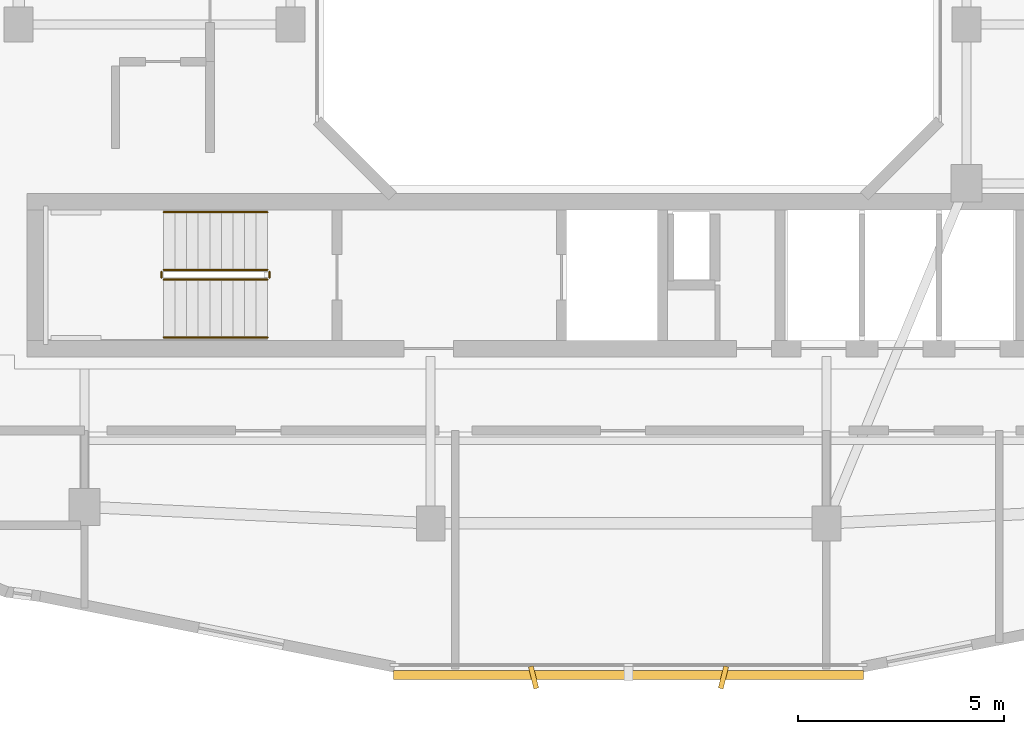
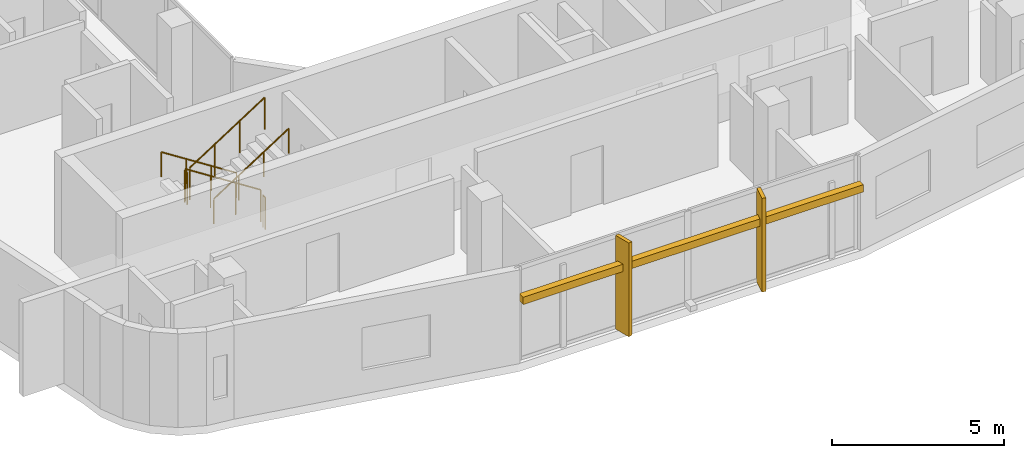
# One storey, part 11 of 14: 6 railings, 3 shading devices.
"""IFC4 building model written with IfcOpenShell, lengths in metres."""

import ifcopenshell
import ifcopenshell.guid

model = None  # the IFC model being written
_history = None  # IfcOwnerHistory: only IFC2X3 demands one
_inside = {}  # id of a spatial element -> (the spatial element, [elements in it])
_under = {}  # id of a project, library or spatial element -> (it, [spatial elements below it])
_declared = {}  # id of a project -> (the project, [libraries it declares])
_typed = {}  # id of a type object -> (the type object, [elements of that type])
_made_of = {}  # id of a material, layer set ... -> (it, [elements and type objects made of it])


def new_model(schema):
    """Start an empty IFC model of exactly this schema.

    Asked for "IFC4X3", IfcOpenShell would pick the latest addendum, in which some entities
    have other attributes; the version numbers below select the first issue.
    IFC2X3 requires an IfcOwnerHistory on every rooted entity: one is made here for all.
    """
    global model, _history
    if schema == "IFC4X3":
        model = ifcopenshell.file(schema_version=(4, 3, 0, 0))
    else:
        model = ifcopenshell.file(schema=schema)
    _inside.clear()
    _under.clear()
    _declared.clear()
    _typed.clear()
    _made_of.clear()
    _history = None
    if model.schema == "IFC2X3":
        org = make("IfcOrganization", Name="unknown")
        user = make(
            "IfcPersonAndOrganization",
            ThePerson=make("IfcPerson", FamilyName="unknown"),
            TheOrganization=org,
        )
        app = make(
            "IfcApplication",
            ApplicationDeveloper=org,
            Version="unknown",
            ApplicationFullName="unknown",
            ApplicationIdentifier="unknown",
        )
        _history = make(
            "IfcOwnerHistory",
            OwningUser=user,
            OwningApplication=app,
            ChangeAction="ADDED",
            CreationDate=0,
        )
    return model


def make(cls, **values):
    """One entity of the class cls with the attributes given. An attribute that is None is left unset."""
    return model.create_entity(
        cls, **{name: value for name, value in values.items() if value is not None}
    )


def rooted(cls, **values):
    """An entity with a GlobalId (a new one), such as an element, a storey or a relation."""
    return make(cls, GlobalId=ifcopenshell.guid.new(), OwnerHistory=_history, **values)


def si_unit(unit_type, name, prefix=None):
    """IfcSIUnit, for example si_unit("LENGTHUNIT", "METRE", prefix="MILLI")."""
    return make("IfcSIUnit", UnitType=unit_type, Prefix=prefix, Name=name)


def derived_unit(unit_type, elements):
    """IfcDerivedUnit: a product of units, each with its exponent."""
    return make(
        "IfcDerivedUnit",
        Elements=[
            make("IfcDerivedUnitElement", Unit=unit, Exponent=power)
            for unit, power in elements
        ],
        UnitType=unit_type,
    )


def assignment(units):
    """IfcUnitAssignment: the units of a project."""
    return None if units is None else make("IfcUnitAssignment", Units=units)


def point(xyz):
    """IfcCartesianPoint."""
    return None if xyz is None else make("IfcCartesianPoint", Coordinates=xyz)


def direction(xyz):
    """IfcDirection."""
    return None if xyz is None else make("IfcDirection", DirectionRatios=xyz)


def frame(location, z_axis=None, x_axis=None):
    """IfcAxis2Placement3D, a coordinate frame: its origin and axes. An axis left out is left unset."""
    return make(
        "IfcAxis2Placement3D",
        Location=point(location),
        Axis=direction(z_axis),
        RefDirection=direction(x_axis),
    )


def frame_2d(location, x_axis=None):
    """IfcAxis2Placement2D, a coordinate frame in the plane: its origin and x axis."""
    return make(
        "IfcAxis2Placement2D", Location=point(location), RefDirection=direction(x_axis)
    )


def origin():
    """The frame at (0, 0, 0) with its axes left unset."""
    return frame((0.0, 0.0, 0.0))


def origin_2d():
    """The frame at (0, 0) in the plane with its x axis left unset."""
    return frame_2d((0.0, 0.0))


def place(relative_to, where):
    """IfcLocalPlacement: puts the frame where relative to a parent placement (None: the world)."""
    return make(
        "IfcLocalPlacement", PlacementRelTo=relative_to, RelativePlacement=where
    )


def context(
    kind, dimensions, precision=None, world=None, true_north=None, identifier=None
):
    """IfcGeometricRepresentationContext, for example the 3D "Model" context."""
    return make(
        "IfcGeometricRepresentationContext",
        ContextIdentifier=identifier,
        ContextType=kind,
        CoordinateSpaceDimension=dimensions,
        Precision=precision,
        WorldCoordinateSystem=world,
        TrueNorth=true_north,
    )


def subcontext(parent, identifier, kind, view, scale=None):
    """IfcGeometricRepresentationSubContext, for example "Body" below "Model"."""
    return make(
        "IfcGeometricRepresentationSubContext",
        ContextIdentifier=identifier,
        ContextType=kind,
        ParentContext=parent,
        TargetScale=scale,
        TargetView=view,
    )


def project(units=None, contexts=None):
    """IfcProject with its units and contexts."""
    return rooted(
        "IfcProject",
        Name="project",
        RepresentationContexts=contexts,
        UnitsInContext=assignment(units),
    )


def spatial(cls, under=None, at=None, **own):
    """A site, building, storey or space (cls), placed at a placement, below another one or the project."""
    s = rooted(cls, ObjectPlacement=at, **own)
    if under is not None:
        _under.setdefault(under.id(), (under, []))[1].append(s)
    return s


def profile(cls, at=None, kind="AREA", **sizes):
    """A parametric profile (cls). Its sizes go by their IFC names, for example OverallWidth=200.0."""
    return make(cls, ProfileType=kind, Position=at, **sizes)


def rectangle(**sizes):
    """IfcRectangleProfileDef."""
    return profile("IfcRectangleProfileDef", **sizes)


def circle(**sizes):
    """IfcCircleProfileDef."""
    return profile("IfcCircleProfileDef", **sizes)


def extrude(swept, where, along, depth):
    """IfcExtrudedAreaSolid: the profile swept, set in the frame where, extruded along a direction by depth."""
    return make(
        "IfcExtrudedAreaSolid",
        SweptArea=swept,
        Position=where,
        ExtrudedDirection=direction(along),
        Depth=depth,
    )


def shape(context_of_items, identifier, shape_type, items):
    """IfcShapeRepresentation: the items that make up one representation, for example the "Body"."""
    return make(
        "IfcShapeRepresentation",
        ContextOfItems=context_of_items,
        RepresentationIdentifier=identifier,
        RepresentationType=shape_type,
        Items=items,
    )


def material(Name=None, Category=None):
    """IfcMaterial."""
    return make("IfcMaterial", Name=Name, Category=Category)


def made_of(thing, what):
    """Note that an element or type object is made of a material, layer set ...; save() writes the relation."""
    if what is not None:
        _made_of.setdefault(what.id(), (what, []))[1].append(thing)
    return thing


def type_object(cls, material=None, **own):
    """A type object (cls), such as IfcWallType, which elements share."""
    return made_of(rooted(cls, **own), material)


def element(
    cls,
    number,
    at=None,
    inside=None,
    cuts=None,
    type_object=None,
    material=None,
    context=None,
    identifier="Body",
    shape_type=None,
    held_by="IfcProductDefinitionShape",
    body=None,
    shapes=None,
    **own,
):
    """One element of the class cls, such as IfcWall. Its Tag is "e" and its number.

    at: its placement. inside: the storey or other place that contains it. cuts: it is an
    opening in that element (IfcRelVoidsElement). A single representation is given by context,
    identifier, shape_type and body (its items); several are given by shapes. held_by: the class
    of the entity that holds the representations. save() writes the other relations.
    """
    e = rooted(cls, Tag="e%d" % number, ObjectPlacement=at, **own)
    if body is not None:
        shapes = [shape(context, identifier, shape_type, body)]
    if shapes is not None:
        e.Representation = make(held_by, Representations=shapes)
    if inside is not None:
        _inside.setdefault(inside.id(), (inside, []))[1].append(e)
    if cuts is not None:
        rooted(
            "IfcRelVoidsElement", RelatingBuildingElement=cuts, RelatedOpeningElement=e
        )
    if type_object is not None:
        _typed.setdefault(type_object.id(), (type_object, []))[1].append(e)
    return made_of(e, material)


def aggregate(whole, parts):
    """IfcRelAggregates: a whole, such as a stair, and the parts it consists of."""
    return rooted("IfcRelAggregates", RelatingObject=whole, RelatedObjects=parts)


def save(model, path):
    """Write the relations noted so far, then the file.

    IfcRelAggregates (storeys below a building ...), IfcRelContainedInSpatialStructure (elements
    in a storey), IfcRelDefinesByType, IfcRelAssociatesMaterial and IfcRelDeclares: one each for
    every whole, place, type object, material and project.
    """
    for whole, parts in _under.values():
        aggregate(whole, parts)
    for where, things in _inside.values():
        rooted(
            "IfcRelContainedInSpatialStructure",
            RelatedElements=things,
            RelatingStructure=where,
        )
    for kind, things in _typed.values():
        rooted("IfcRelDefinesByType", RelatedObjects=things, RelatingType=kind)
    for what, things in _made_of.values():
        rooted("IfcRelAssociatesMaterial", RelatedObjects=things, RelatingMaterial=what)
    for by, libraries in _declared.values():
        rooted("IfcRelDeclares", RelatingContext=by, RelatedDefinitions=libraries)
    model.write(path)


model = new_model("IFC4")

# Units and contexts
model_context = context("Model", 3, precision=1e-05, world=origin(), true_north=direction((0.0, 1.0)))
body_context = subcontext(model_context, "Body", "Model", "MODEL_VIEW")
ifc_project = project(units=[si_unit("LENGTHUNIT", "METRE"), si_unit("AREAUNIT", "SQUARE_METRE"), si_unit("VOLUMEUNIT", "CUBIC_METRE"), si_unit("PLANEANGLEUNIT", "RADIAN"), si_unit("MASSUNIT", "GRAM", prefix="KILO"), derived_unit("THERMALTRANSMITTANCEUNIT", [(si_unit("POWERUNIT", "WATT"), 1), (si_unit("LENGTHUNIT", "METRE"), -2), (si_unit("THERMODYNAMICTEMPERATUREUNIT", "KELVIN"), -1)])], contexts=[model_context])

# Site, building, storey
site_placement = place(None, origin())
site = spatial("IfcSite", under=ifc_project, at=site_placement, CompositionType="ELEMENT")
building_placement = place(site_placement, origin())
building = spatial("IfcBuilding", under=site, at=building_placement, Name="Kivonza Crest Hotel", CompositionType="ELEMENT")
storey_placement = place(building_placement, frame((0.0, 0.0, 209.89990234375)))
storey = spatial("IfcBuildingStorey", under=building, at=storey_placement, Name="L57", CompositionType="ELEMENT", Elevation=209.89990234375)

# Railings
ifc_material_1 = material(Name="Brushed stainless steel handrail", Category="steel")
railing_type_1 = type_object("IfcRailingType", Name="RL-HAND-900", PredefinedType="HANDRAIL", material=ifc_material_1)
railing_1_placement = place(storey_placement, frame((12.239990234375, 16.949951171875, 0.18017578125)))
element("IfcRailing", 1, at=railing_1_placement, inside=storey, type_object=railing_type_1, Name="L57 ST-T1-S stair handrail 1", PredefinedType="HANDRAIL", context=body_context, shape_type="SweptSolid", body=[
    extrude(circle(Radius=0.02392578125, at=origin_2d()), frame((0.0, 0.0, 0.8759765625), z_axis=(-0.841199657755, 0.0, 0.540724639528), x_axis=(0.0, -1.0, 0.0)), (0.0, 0.0, 1.0), 2.995849609375),
    extrude(circle(Radius=0.02099609375, at=origin_2d()), origin(), (0.0, 0.0, 1.0), 0.851806640625),
    extrude(circle(Radius=0.02099609375, at=origin_2d()), frame((-0.840087890625, 0.0, 0.5400390625)), (0.0, 0.0, 1.0), 0.851806640625),
    extrude(circle(Radius=0.02099609375, at=origin_2d()), frame((-1.679931640625, 0.0, 1.079833984375)), (0.0, 0.0, 1.0), 0.851806640625),
    extrude(circle(Radius=0.02099609375, at=origin_2d()), frame((-2.52001953125, 0.0, 1.619873046875)), (0.0, 0.0, 1.0), 0.851806640625),
])
railing_2_placement = place(storey_placement, frame((9.719970703125, 13.909912109375, 1.97998046875)))
element("IfcRailing", 2, at=railing_2_placement, inside=storey, type_object=railing_type_1, Name="L57 ST-T1-S stair handrail 2", PredefinedType="HANDRAIL", context=body_context, shape_type="SweptSolid", body=[
    extrude(circle(Radius=0.02392578125, at=origin_2d()), frame((0.0, 0.0, 0.8759765625), z_axis=(0.841162588446, 0.0, 0.540782303519), x_axis=(0.0, 1.0, 0.0)), (0.0, 0.0, 1.0), 2.995849609375),
    extrude(circle(Radius=0.02099609375, at=origin_2d()), origin(), (0.0, 0.0, 1.0), 0.851806640625),
    extrude(circle(Radius=0.02099609375, at=origin_2d()), frame((0.840087890625, 0.0, 0.5400390625)), (0.0, 0.0, 1.0), 0.851806640625),
    extrude(circle(Radius=0.02099609375, at=origin_2d()), frame((1.679931640625, 0.0, 1.080078125)), (0.0, 0.0, 1.0), 0.851806640625),
    extrude(circle(Radius=0.02099609375, at=origin_2d()), frame((2.52001953125, 0.0, 1.6201171875)), (0.0, 0.0, 1.0), 0.851806640625),
])
ifc_material_2 = material(Name="Painted steel balustrade", Category="steel")
railing_type_2 = type_object("IfcRailingType", Name="RL-STAIR-1150", PredefinedType="BALUSTRADE", material=ifc_material_2)
railing_3_placement = place(storey_placement, frame((12.239990234375, 15.550048828125, 0.18017578125)))
element("IfcRailing", 3, at=railing_3_placement, inside=storey, type_object=railing_type_2, Name="L57 ST-T1-S stair guard 1", PredefinedType="BALUSTRADE", context=body_context, shape_type="SweptSolid", body=[
    extrude(circle(Radius=0.02392578125, at=origin_2d()), frame((0.0, 0.0, 1.1259765625), z_axis=(-0.841199657755, 0.0, 0.540724639528), x_axis=(0.0, -1.0, 0.0)), (0.0, 0.0, 1.0), 2.995849609375),
    extrude(circle(Radius=0.02099609375, at=origin_2d()), origin(), (0.0, 0.0, 1.0), 1.101806640625),
    extrude(circle(Radius=0.02099609375, at=origin_2d()), frame((-0.840087890625, 0.0, 0.5400390625)), (0.0, 0.0, 1.0), 1.101806640625),
    extrude(circle(Radius=0.02099609375, at=origin_2d()), frame((-1.679931640625, 0.0, 1.079833984375)), (0.0, 0.0, 1.0), 1.101806640625),
    extrude(circle(Radius=0.02099609375, at=origin_2d()), frame((-2.52001953125, 0.0, 1.619873046875)), (0.0, 0.0, 1.0), 1.101806640625),
])
railing_4_placement = place(storey_placement, frame((9.669921875, 15.5, 1.800048828125)))
element("IfcRailing", 4, at=railing_4_placement, inside=storey, type_object=railing_type_2, Name="L57 ST-T1-S stair guard 2", PredefinedType="BALUSTRADE", context=body_context, shape_type="SweptSolid", body=[
    extrude(circle(Radius=0.02392578125, at=origin_2d()), frame((0.0, 0.0, 1.1259765625), z_axis=(0.0, -1.0, 0.0), x_axis=(1.0, 0.0, 0.0)), (0.0, 0.0, 1.0), 0.139892578125),
    extrude(circle(Radius=0.02099609375, at=origin_2d()), origin(), (0.0, 0.0, 1.0), 1.101806640625),
    extrude(circle(Radius=0.02099609375, at=origin_2d()), frame((0.0, -0.139892578125, 0.0)), (0.0, 0.0, 1.0), 1.101806640625),
])
railing_5_placement = place(storey_placement, frame((9.719970703125, 15.31005859375, 1.97998046875)))
element("IfcRailing", 5, at=railing_5_placement, inside=storey, type_object=railing_type_2, Name="L57 ST-T1-S stair guard 3", PredefinedType="BALUSTRADE", context=body_context, shape_type="SweptSolid", body=[
    extrude(circle(Radius=0.02392578125, at=origin_2d()), frame((0.0, 0.0, 1.1259765625), z_axis=(0.841162588446, 0.0, 0.540782303519), x_axis=(0.0, 1.0, 0.0)), (0.0, 0.0, 1.0), 2.995849609375),
    extrude(circle(Radius=0.02099609375, at=origin_2d()), origin(), (0.0, 0.0, 1.0), 1.101806640625),
    extrude(circle(Radius=0.02099609375, at=origin_2d()), frame((0.840087890625, 0.0, 0.5400390625)), (0.0, 0.0, 1.0), 1.101806640625),
    extrude(circle(Radius=0.02099609375, at=origin_2d()), frame((1.679931640625, 0.0, 1.080078125)), (0.0, 0.0, 1.0), 1.101806640625),
    extrude(circle(Radius=0.02099609375, at=origin_2d()), frame((2.52001953125, 0.0, 1.6201171875)), (0.0, 0.0, 1.0), 1.101806640625),
])
railing_6_placement = place(storey_placement, frame((12.2900390625, 15.5, 0.0)))
element("IfcRailing", 6, at=railing_6_placement, inside=storey, type_object=railing_type_2, Name="L57 ST-T1-S stair guard 4", PredefinedType="BALUSTRADE", context=body_context, shape_type="SweptSolid", body=[
    extrude(circle(Radius=0.02392578125, at=origin_2d()), frame((0.0, 0.0, 1.1259765625), z_axis=(0.0, -1.0, 0.0), x_axis=(1.0, 0.0, 0.0)), (0.0, 0.0, 1.0), 0.139892578125),
    extrude(circle(Radius=0.02099609375, at=origin_2d()), origin(), (0.0, 0.0, 1.0), 1.101806640625),
    extrude(circle(Radius=0.02099609375, at=origin_2d()), frame((0.0, -0.139892578125, 0.0)), (0.0, 0.0, 1.0), 1.101806640625),
])

# Shading devices
ifc_material_3 = material(Name="Kiln-fired Nairobi red-ochre terracotta", Category="masonry")
shading_device_type_1 = type_object("IfcShadingDeviceType", Name="SH-BAGUETTE-300", PredefinedType="USERDEFINED", material=ifc_material_3)
shading_device_placement = place(storey_placement, frame((21.0, 5.719970703125, 2.1943359375), z_axis=(0.0, 0.0, 1.0), x_axis=(1.0, 0.0, 0.0)))
element("IfcShadingDevice", 7, at=shading_device_placement, inside=storey, type_object=shading_device_type_1, Name="L57 terracotta baguette screen CW-T1-L57-08", ObjectType="BAGUETTE", PredefinedType="USERDEFINED", context=body_context, shape_type="SweptSolid", body=[
    extrude(rectangle(XDim=11.39990234375, YDim=0.219970703125, at=origin_2d()), origin(), (0.0, 0.0, 1.0), 0.260009765625),
])
ifc_material_4 = material(Name="Kiln-fired terracotta over extruded aluminium spine", Category="masonry")
shading_device_type_2 = type_object("IfcShadingDeviceType", Name="SH-FIN-550", PredefinedType="USERDEFINED", material=ifc_material_4)
for number, where, z_axis, x_axis, name in (
    (8, (18.696044921875, 5.659912109375, 0.0), (0.0, 0.0, 1.0), (0.970295726276, 0.2419218956, 0.0), "L57 vertical solar shading fin CW-T1-L57-08-1"),
    (9, (23.303955078125, 5.659912109375, 0.0), (0.0, 0.0, 1.0), (0.970295726276, -0.2419218956, 0.0), "L57 vertical solar shading fin CW-T1-L57-08-2"),
):
    element("IfcShadingDevice", number, at=place(storey_placement, frame(where, z_axis=z_axis, x_axis=x_axis)), inside=storey, type_object=shading_device_type_2, Name=name, ObjectType="FIN", PredefinedType="USERDEFINED", context=body_context, shape_type="SweptSolid", body=[
        extrude(rectangle(XDim=0.1201171875, YDim=0.550048828125, at=origin_2d()), origin(), (0.0, 0.0, 1.0), 3.320068359375),
    ])

save(model, "model.ifc")
